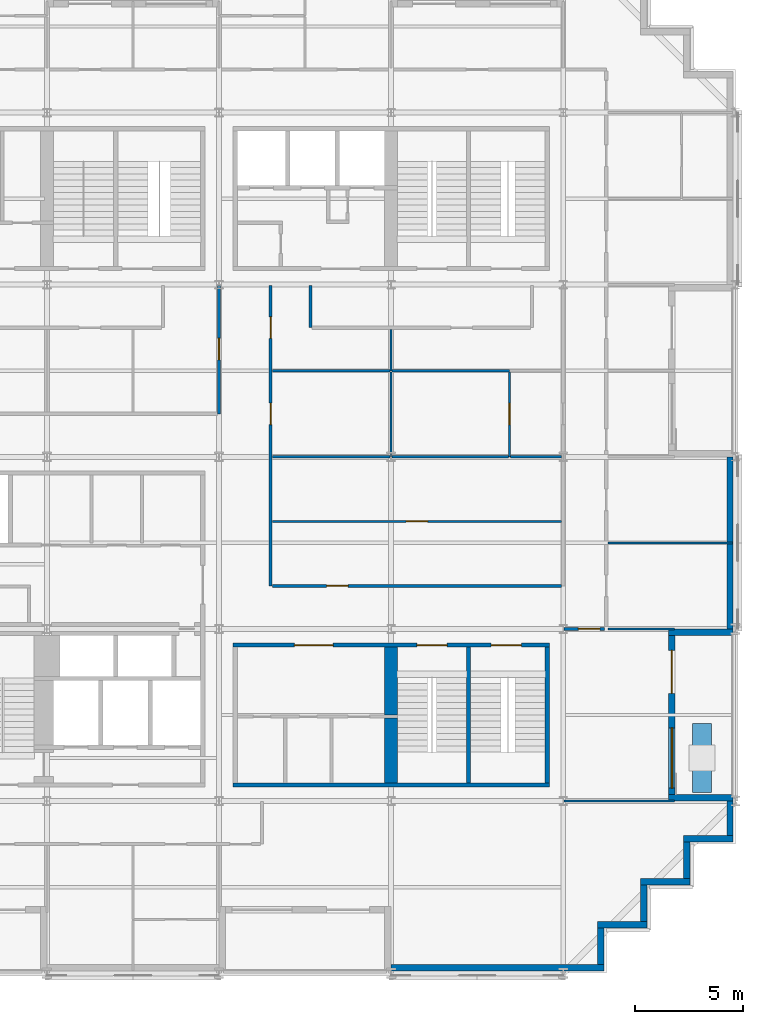
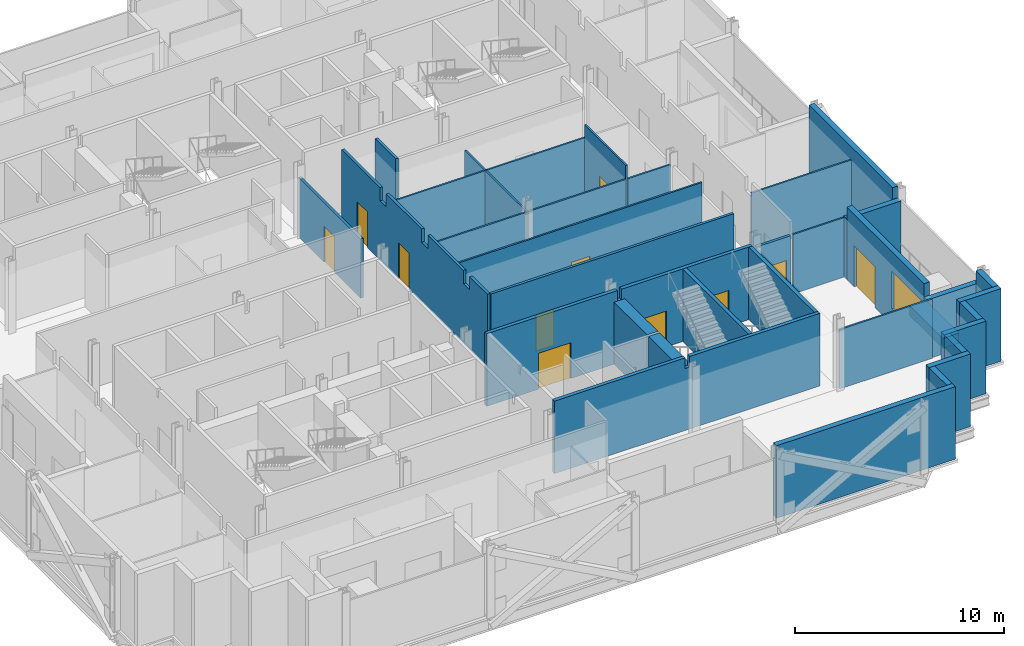
# One storey, part 8 of 15: 36 walls, 11 doors, 1 window, 12 openings.
"""IFC4 building model written with IfcOpenShell, lengths in metres."""

from ifc_helpers import new_model, si_unit, direction, frame, frame_2d, origin, place, context, subcontext, project, spatial, polyline, rectangle, outline, extrude, material, layer, layer_set, type_object, element, fill, save


model = new_model("IFC4")

# Units and contexts
model_context = context("Model", 3, precision=1e-05, world=origin(), true_north=direction((0.0, 1.0)))
body_context = subcontext(model_context, "Body", "Model", "MODEL_VIEW")
ifc_project = project(units=[si_unit("LENGTHUNIT", "METRE"), si_unit("AREAUNIT", "SQUARE_METRE"), si_unit("VOLUMEUNIT", "CUBIC_METRE"), si_unit("PLANEANGLEUNIT", "RADIAN"), si_unit("MASSUNIT", "GRAM", prefix="KILO")], contexts=[model_context])

# Site, building, storey
site_placement = place(None, origin())
site = spatial("IfcSite", under=ifc_project, at=site_placement, CompositionType="ELEMENT")
building_placement = place(site_placement, origin())
building = spatial("IfcBuilding", under=site, at=building_placement, Name="Immortelle Media Tower", CompositionType="ELEMENT")
storey_placement = place(building_placement, frame((0.0, 0.0, 65.60009765625)))
storey = spatial("IfcBuildingStorey", under=building, at=storey_placement, Name="L11", CompositionType="ELEMENT", Elevation=65.60009765625)

# Wall, opening, door
ifc_material_1 = material(Name="Fire-rated gypsum board", Category="gypsum")
ifc_layer_1 = layer(ifc_material_1, 0.012451171875)
ifc_material_2 = material(Name="Steel ASTM A653 SS Gr 50 stud frame with mineral wool", Category="steel")
ifc_layer_2 = layer(ifc_material_2, 0.125)
ifc_layer_3 = layer(ifc_material_1, 0.012451171875)
ifc_layer_set_1 = layer_set([ifc_layer_1, ifc_layer_2, ifc_layer_3], Name="Steel ASTM A653 SS Gr 50 stud frame with mineral wool")
wall_type_1 = type_object("IfcWallType", Name="Corridor wall 150", PredefinedType="PARTITIONING", material=ifc_layer_set_1)
wall_1_placement = place(storey_placement, frame((40.030029296875, 16.0, 0.0), z_axis=(0.0, 0.0, 1.0), x_axis=(1.0, 0.0, 0.0)))
wall_1 = element("IfcWall", 1, at=wall_1_placement, inside=storey, type_object=wall_type_1, Name="Partition L11-015", PredefinedType="PARTITIONING", context=body_context, shape_type="SweptSolid", body=[
    extrude(rectangle(XDim=1.89501953125, YDim=0.14990234375, at=frame_2d((0.947509765625, 0.0))), origin(), (0.0, 0.0, 1.0), 3.469970703125),
])
opening_1_placement = place(wall_1_placement, frame((0.669921875, 0.0, 0.0)))
opening_1 = element("IfcOpeningElement", 2, at=opening_1_placement, cuts=wall_1, Name="Opening N3-F010", PredefinedType="OPENING", context=body_context, shape_type="SweptSolid", body=[
    extrude(rectangle(XDim=1.0, YDim=2.10009765625, at=frame_2d((0.5, 1.050048828125))), frame((0.0, 0.0849609375, 0.0), z_axis=(0.0, -1.0, 0.0), x_axis=(1.0, 0.0, 0.0)), (0.0, 0.0, 1.0), 0.169921875),
])
ifc_material_3 = material(Name="Timber veneered door leaf, galvanised steel frame ASTM A653", Category="steel")
door_type_1 = type_object("IfcDoorType", Name="Room door 1000 x 2100", OperationType="NOTDEFINED", PredefinedType="DOOR", material=ifc_material_3)
door_1_placement = place(opening_1_placement, origin())
door_1 = element("IfcDoor", 3, at=door_1_placement, inside=storey, type_object=door_type_1, Name="Door N3-F010", OperationType="SINGLE_SWING_RIGHT", OverallHeight=2.10009765625, OverallWidth=1.0, PredefinedType="DOOR", context=body_context, shape_type="SweptSolid", body=[
    extrude(rectangle(XDim=1.0, YDim=2.10009765625, at=frame_2d((0.5, 1.050048828125))), frame((0.0, 0.02490234375, 0.0), z_axis=(0.0, -1.0, 0.0), x_axis=(1.0, 0.0, 0.0)), (0.0, 0.0, 1.0), 0.050048828125),
])
fill(opening_1, door_1)

wall_2_placement = place(storey_placement, frame((26.47509765625, 18.0, 0.0), z_axis=(0.0, 0.0, 1.0), x_axis=(1.0, 0.0, 0.0)))
wall_2 = element("IfcWall", 4, at=wall_2_placement, inside=storey, type_object=wall_type_1, Name="Partition L11-018", PredefinedType="PARTITIONING", context=body_context, shape_type="SweptSolid", body=[
    extrude(rectangle(XDim=13.449951171875, YDim=0.14990234375, at=frame_2d((6.72509765625, 0.0))), origin(), (0.0, 0.0, 1.0), 4.25),
])
opening_2_placement = place(wall_2_placement, frame((3.52490234375, 0.0, 0.0), z_axis=(0.0, 0.0, 1.0), x_axis=(-1.0, 0.0, 0.0)))
opening_2 = element("IfcOpeningElement", 5, at=opening_2_placement, cuts=wall_2, Name="Opening N3-F014", PredefinedType="OPENING", context=body_context, shape_type="SweptSolid", body=[
    extrude(rectangle(XDim=1.0, YDim=2.10009765625, at=frame_2d((0.5, 1.050048828125))), frame((0.0, 0.0849609375, 0.0), z_axis=(0.0, -1.0, 0.0), x_axis=(1.0, 0.0, 0.0)), (0.0, 0.0, 1.0), 0.169921875),
])
door_2_placement = place(opening_2_placement, origin())
door_2 = element("IfcDoor", 6, at=door_2_placement, inside=storey, type_object=door_type_1, Name="Door N3-F014", OperationType="SINGLE_SWING_RIGHT", OverallHeight=2.10009765625, OverallWidth=1.0, PredefinedType="DOOR", context=body_context, shape_type="SweptSolid", body=[
    extrude(rectangle(XDim=1.0, YDim=2.10009765625, at=frame_2d((0.5, 1.050048828125))), frame((0.0, 0.02490234375, 0.0), z_axis=(0.0, -1.0, 0.0), x_axis=(1.0, 0.0, 0.0)), (0.0, 0.0, 1.0), 0.050048828125),
])
fill(opening_2, door_2)

# Wall, openings, doors
wall_3_placement = place(storey_placement, frame((26.39990234375, 18.0, 0.0), z_axis=(0.0, 0.0, 1.0), x_axis=(0.0, 1.0, 0.0)))
wall_3 = element("IfcWall", 7, at=wall_3_placement, inside=storey, type_object=wall_type_1, Name="Partition L11-019", PredefinedType="PARTITIONING", context=body_context, shape_type="SweptSolid", body=[
    extrude(outline(polyline([(0.0, 0.0), (13.969970703125, 0.0), (13.969970703125, 4.25), (10.300048828125, 4.25), (10.298095703125, 3.469970703125), (9.701904296875, 3.469970703125), (9.699951171875, 4.25), (6.300048828125, 4.25), (6.298095703125, 3.469970703125), (5.701904296875, 3.469970703125), (5.699951171875, 4.25), (2.300048828125, 4.25), (2.298095703125, 3.469970703125), (1.701904296875, 3.469970703125), (1.699951171875, 4.25), (0.0, 4.25), (0.0, 0.0)])), frame((0.0, 0.074951171875, 0.0), z_axis=(0.0, -1.0, 0.0), x_axis=(1.0, 0.0, 0.0)), (0.0, 0.0, 1.0), 0.14990234375),
])
opening_3_placement = place(wall_3_placement, frame((7.5, 0.0, 0.0)))
opening_3 = element("IfcOpeningElement", 8, at=opening_3_placement, cuts=wall_3, Name="Opening N3-F019", PredefinedType="OPENING", context=body_context, shape_type="SweptSolid", body=[
    extrude(rectangle(XDim=1.0, YDim=2.10009765625, at=frame_2d((0.5, 1.050048828125))), frame((0.0, 0.0849609375, 0.0), z_axis=(0.0, -1.0, 0.0), x_axis=(1.0, 0.0, 0.0)), (0.0, 0.0, 1.0), 0.169921875),
])
opening_4_placement = place(wall_3_placement, frame((12.5, 0.0, 0.0), z_axis=(0.0, 0.0, 1.0), x_axis=(-1.0, 0.0, 0.0)))
opening_4 = element("IfcOpeningElement", 9, at=opening_4_placement, cuts=wall_3, Name="Opening N3-F020", PredefinedType="OPENING", context=body_context, shape_type="SweptSolid", body=[
    extrude(rectangle(XDim=1.0, YDim=2.10009765625, at=frame_2d((0.5, 1.050048828125))), frame((0.0, 0.0849609375, 0.0), z_axis=(0.0, -1.0, 0.0), x_axis=(1.0, 0.0, 0.0)), (0.0, 0.0, 1.0), 0.169921875),
])
door_3_placement = place(opening_3_placement, origin())
door_3 = element("IfcDoor", 10, at=door_3_placement, inside=storey, type_object=door_type_1, Name="Door N3-F019", OperationType="SINGLE_SWING_RIGHT", OverallHeight=2.10009765625, OverallWidth=1.0, PredefinedType="DOOR", context=body_context, shape_type="SweptSolid", body=[
    extrude(rectangle(XDim=1.0, YDim=2.10009765625, at=frame_2d((0.5, 1.050048828125))), frame((0.0, 0.02490234375, 0.0), z_axis=(0.0, -1.0, 0.0), x_axis=(1.0, 0.0, 0.0)), (0.0, 0.0, 1.0), 0.050048828125),
])
fill(opening_3, door_3)
door_4_placement = place(opening_4_placement, origin())
door_4 = element("IfcDoor", 11, at=door_4_placement, inside=storey, type_object=door_type_1, Name="Door N3-F020", OperationType="SINGLE_SWING_RIGHT", OverallHeight=2.10009765625, OverallWidth=1.0, PredefinedType="DOOR", context=body_context, shape_type="SweptSolid", body=[
    extrude(rectangle(XDim=1.0, YDim=2.10009765625, at=frame_2d((0.5, 1.050048828125))), frame((0.0, 0.02490234375, 0.0), z_axis=(0.0, -1.0, 0.0), x_axis=(1.0, 0.0, 0.0)), (0.0, 0.0, 1.0), 0.050048828125),
])
fill(opening_4, door_4)

# Wall, opening, door
wall_4_placement = place(storey_placement, frame((24.0, 26.0, 0.0), z_axis=(0.0, 0.0, 1.0), x_axis=(0.0, 1.0, 0.0)))
wall_4 = element("IfcWall", 12, at=wall_4_placement, inside=storey, type_object=wall_type_1, Name="Partition L11-033", PredefinedType="PARTITIONING", context=body_context, shape_type="SweptSolid", body=[
    extrude(rectangle(XDim=5.969970703125, YDim=0.14990234375, at=frame_2d((2.98486328125, 0.0))), origin(), (0.0, 0.0, 1.0), 3.469970703125),
])
opening_5_placement = place(wall_4_placement, frame((2.5, 0.0, 0.0)))
opening_5 = element("IfcOpeningElement", 13, at=opening_5_placement, cuts=wall_4, Name="Opening N3-F024", PredefinedType="OPENING", context=body_context, shape_type="SweptSolid", body=[
    extrude(rectangle(XDim=1.0, YDim=2.10009765625, at=frame_2d((0.5, 1.050048828125))), frame((0.0, 0.0849609375, 0.0), z_axis=(0.0, -1.0, 0.0), x_axis=(1.0, 0.0, 0.0)), (0.0, 0.0, 1.0), 0.169921875),
])
door_5_placement = place(opening_5_placement, origin())
door_5 = element("IfcDoor", 14, at=door_5_placement, inside=storey, type_object=door_type_1, Name="Door N3-F024", OperationType="SINGLE_SWING_LEFT", OverallHeight=2.10009765625, OverallWidth=1.0, PredefinedType="DOOR", context=body_context, shape_type="SweptSolid", body=[
    extrude(rectangle(XDim=1.0, YDim=2.10009765625, at=frame_2d((0.5, 1.050048828125))), frame((0.0, 0.02490234375, 0.0), z_axis=(0.0, -1.0, 0.0), x_axis=(1.0, 0.0, 0.0)), (0.0, 0.0, 1.0), 0.050048828125),
])
fill(opening_5, door_5)

# Walls
wall_5_placement = place(storey_placement, frame((28.25, 30.0, 0.0), z_axis=(0.0, 0.0, 1.0), x_axis=(0.0, 1.0, 0.0)))
element("IfcWall", 15, at=wall_5_placement, inside=storey, type_object=wall_type_1, Name="Partition L11-043", PredefinedType="PARTITIONING", context=body_context, shape_type="SweptSolid", body=[
    extrude(rectangle(XDim=1.969970703125, YDim=0.14990234375, at=frame_2d((0.98486328125, 0.0))), origin(), (0.0, 0.0, 1.0), 4.25),
])
ifc_material_4 = material(Name="Pale aluminium cladding panel", Category="aluminium")
ifc_layer_4 = layer(ifc_material_4, 0.030029296875)
ifc_layer_5 = layer(ifc_material_2, 0.257568359375)
ifc_material_5 = material(Name="Moisture-resistant gypsum board", Category="gypsum")
ifc_layer_6 = layer(ifc_material_5, 0.012451171875)
ifc_layer_set_2 = layer_set([ifc_layer_4, ifc_layer_5, ifc_layer_6], Name="Steel ASTM A653 SS Gr 50 stud frame with mineral wool")
wall_type_2 = type_object("IfcWallType", Name="Facade wall 300", PredefinedType="SOLIDWALL", material=ifc_layer_set_2)
wall_6_placement = place(storey_placement, frame((32.0, 0.25, 0.0), z_axis=(0.0, 0.0, 1.0), x_axis=(1.0, 0.0, 0.0)))
element("IfcWall", 16, at=wall_6_placement, inside=storey, type_object=wall_type_2, Name="Facade wall L11 S7", PredefinedType="SOLIDWALL", context=body_context, shape_type="SweptSolid", body=[
    extrude(rectangle(XDim=9.89990234375, YDim=0.300048828125, at=frame_2d((4.949951171875, 0.0))), origin(), (0.0, 0.0, 1.0), 4.25),
])
wall_7_placement = place(storey_placement, frame((41.75, 0.39990234375, 0.0), z_axis=(0.0, 0.0, 1.0), x_axis=(0.0, 1.0, 0.0)))
element("IfcWall", 17, at=wall_7_placement, inside=storey, type_object=wall_type_2, Name="Facade wall L11 E8", PredefinedType="SOLIDWALL", context=body_context, shape_type="SweptSolid", body=[
    extrude(rectangle(XDim=1.7001953125, YDim=0.300048828125, at=frame_2d((0.85009765625, 0.0))), origin(), (0.0, 0.0, 1.0), 4.25),
])
wall_8_placement = place(storey_placement, frame((41.60009765625, 2.25, 0.0), z_axis=(0.0, 0.0, 1.0), x_axis=(1.0, 0.0, 0.0)))
element("IfcWall", 18, at=wall_8_placement, inside=storey, type_object=wall_type_2, Name="Facade wall L11 S9", PredefinedType="SOLIDWALL", context=body_context, shape_type="SweptSolid", body=[
    extrude(rectangle(XDim=2.2998046875, YDim=0.300048828125, at=frame_2d((1.14990234375, 0.0))), origin(), (0.0, 0.0, 1.0), 4.25),
])
wall_9_placement = place(storey_placement, frame((43.75, 2.39990234375, 0.0), z_axis=(0.0, 0.0, 1.0), x_axis=(0.0, 1.0, 0.0)))
element("IfcWall", 19, at=wall_9_placement, inside=storey, type_object=wall_type_2, Name="Facade wall L11 E10", PredefinedType="SOLIDWALL", context=body_context, shape_type="SweptSolid", body=[
    extrude(rectangle(XDim=1.7001953125, YDim=0.300048828125, at=frame_2d((0.85009765625, 0.0))), origin(), (0.0, 0.0, 1.0), 4.25),
])
wall_10_placement = place(storey_placement, frame((43.60009765625, 4.25, 0.0), z_axis=(0.0, 0.0, 1.0), x_axis=(1.0, 0.0, 0.0)))
element("IfcWall", 20, at=wall_10_placement, inside=storey, type_object=wall_type_2, Name="Facade wall L11 S11", PredefinedType="SOLIDWALL", context=body_context, shape_type="SweptSolid", body=[
    extrude(rectangle(XDim=2.2998046875, YDim=0.300048828125, at=frame_2d((1.14990234375, 0.0))), origin(), (0.0, 0.0, 1.0), 4.25),
])
wall_11_placement = place(storey_placement, frame((45.75, 4.39990234375, 0.0), z_axis=(0.0, 0.0, 1.0), x_axis=(0.0, 1.0, 0.0)))
element("IfcWall", 21, at=wall_11_placement, inside=storey, type_object=wall_type_2, Name="Facade wall L11 E12", PredefinedType="SOLIDWALL", context=body_context, shape_type="SweptSolid", body=[
    extrude(rectangle(XDim=1.7001953125, YDim=0.300048828125, at=frame_2d((0.85009765625, 0.0))), origin(), (0.0, 0.0, 1.0), 4.25),
])
wall_12_placement = place(storey_placement, frame((45.60009765625, 6.25, 0.0), z_axis=(0.0, 0.0, 1.0), x_axis=(1.0, 0.0, 0.0)))
element("IfcWall", 22, at=wall_12_placement, inside=storey, type_object=wall_type_2, Name="Facade wall L11 S13", PredefinedType="SOLIDWALL", context=body_context, shape_type="SweptSolid", body=[
    extrude(rectangle(XDim=2.2998046875, YDim=0.300048828125, at=frame_2d((1.14990234375, 0.0))), origin(), (0.0, 0.0, 1.0), 4.25),
])
wall_13_placement = place(storey_placement, frame((47.75, 6.39990234375, 0.0), z_axis=(0.0, 0.0, 1.0), x_axis=(0.0, 1.0, 0.0)))
element("IfcWall", 23, at=wall_13_placement, inside=storey, type_object=wall_type_2, Name="Facade wall L11 E14", PredefinedType="SOLIDWALL", context=body_context, shape_type="SweptSolid", body=[
    extrude(rectangle(XDim=1.60009765625, YDim=0.300048828125, at=frame_2d((0.800048828125, 0.0))), origin(), (0.0, 0.0, 1.0), 4.25),
])

# Wall, openings, door, window
wall_14_placement = place(storey_placement, frame((45.050048828125, 8.300048828125, 0.0), z_axis=(0.0, 0.0, 1.0), x_axis=(0.0, 1.0, 0.0)))
wall_14 = element("IfcWall", 24, at=wall_14_placement, inside=storey, type_object=wall_type_2, Name="Loggia wall L11 E14", PredefinedType="SOLIDWALL", context=body_context, shape_type="SweptSolid", body=[
    extrude(rectangle(XDim=7.39990234375, YDim=0.300048828125, at=frame_2d((3.699951171875, 0.0))), origin(), (0.0, 0.0, 1.0), 4.25),
])
opening_6_placement = place(wall_14_placement, frame((0.300048828125, 0.0, 0.89990234375)))
opening_6 = element("IfcOpeningElement", 25, at=opening_6_placement, cuts=wall_14, Name="Opening W1", PredefinedType="OPENING", context=body_context, shape_type="SweptSolid", body=[
    extrude(rectangle(XDim=2.800048828125, YDim=2.199951171875, at=frame_2d((1.39990234375, 1.10009765625))), frame((0.0, 0.159912109375, 0.0), z_axis=(0.0, -1.0, 0.0), x_axis=(1.0, 0.0, 0.0)), (0.0, 0.0, 1.0), 0.320068359375),
])
opening_7_placement = place(wall_14_placement, frame((4.699951171875, 0.0, 0.0)))
opening_7 = element("IfcOpeningElement", 26, at=opening_7_placement, cuts=wall_14, Name="Opening N3-E005", PredefinedType="OPENING", context=body_context, shape_type="SweptSolid", body=[
    extrude(rectangle(XDim=2.0, YDim=2.39990234375, at=frame_2d((1.0, 1.199951171875))), frame((0.0, 0.159912109375, 0.0), z_axis=(0.0, -1.0, 0.0), x_axis=(1.0, 0.0, 0.0)), (0.0, 0.0, 1.0), 0.320068359375),
])
ifc_material_6 = material(Name="Aluminium frame, glazed leaves", Category="aluminium")
door_type_2 = type_object("IfcDoorType", Name="Loggia door 2000 x 2400", OperationType="DOUBLE_DOOR_SINGLE_SWING", PredefinedType="DOOR", material=ifc_material_6)
door_6_placement = place(opening_7_placement, origin())
door_6 = element("IfcDoor", 27, at=door_6_placement, inside=storey, type_object=door_type_2, Name="Door N3-E005", OperationType="DOUBLE_DOOR_SINGLE_SWING", OverallHeight=2.39990234375, OverallWidth=2.0, PredefinedType="DOOR", context=body_context, shape_type="SweptSolid", body=[
    extrude(rectangle(XDim=2.0, YDim=2.39990234375, at=frame_2d((1.0, 1.199951171875))), frame((0.0, 0.02490234375, 0.0), z_axis=(0.0, -1.0, 0.0), x_axis=(1.0, 0.0, 0.0)), (0.0, 0.0, 1.0), 0.050048828125),
])
fill(opening_7, door_6)
ifc_material_7 = material(Name="Aluminium frame", Category="aluminium")
window_type = type_object("IfcWindowType", Name="Window 2800 x 2200", PartitioningType="SINGLE_PANEL", PredefinedType="WINDOW", material=ifc_material_7)
window_placement = place(opening_6_placement, origin())
window = element("IfcWindow", 28, at=window_placement, inside=storey, type_object=window_type, Name="Window L11 L11-R14-B0", OverallHeight=2.199951171875, OverallWidth=2.800048828125, PartitioningType="SINGLE_PANEL", PredefinedType="WINDOW", context=body_context, shape_type="SweptSolid", body=[
    extrude(rectangle(XDim=2.800048828125, YDim=2.199951171875, at=frame_2d((1.39990234375, 1.10009765625))), frame((0.0, 0.030029296875, 0.0), z_axis=(0.0, -1.0, 0.0), x_axis=(1.0, 0.0, 0.0)), (0.0, 0.0, 1.0), 0.06005859375),
])
fill(opening_6, window)

# Walls
wall_15_placement = place(storey_placement, frame((47.89990234375, 8.14990234375, 0.0), z_axis=(0.0, 0.0, 1.0), x_axis=(-1.0, 0.0, 0.0)))
element("IfcWall", 29, at=wall_15_placement, inside=storey, type_object=wall_type_2, Name="Loggia cheek wall L11 E", PredefinedType="SOLIDWALL", context=body_context, shape_type="SweptSolid", body=[
    extrude(rectangle(XDim=3.0, YDim=0.300048828125, at=frame_2d((1.5, 0.0))), origin(), (0.0, 0.0, 1.0), 3.468994140625),
])
wall_16_placement = place(storey_placement, frame((47.89990234375, 15.85009765625, 0.0), z_axis=(0.0, 0.0, 1.0), x_axis=(-1.0, 0.0, 0.0)))
element("IfcWall", 30, at=wall_16_placement, inside=storey, type_object=wall_type_2, Name="Loggia cheek wall L11 E", PredefinedType="SOLIDWALL", context=body_context, shape_type="SweptSolid", body=[
    extrude(rectangle(XDim=3.0, YDim=0.300048828125, at=frame_2d((1.5, 0.0))), origin(), (0.0, 0.0, 1.0), 3.555908203125),
])
wall_17_placement = place(storey_placement, frame((47.75, 16.0, 0.0), z_axis=(0.0, 0.0, 1.0), x_axis=(0.0, 1.0, 0.0)))
element("IfcWall", 31, at=wall_17_placement, inside=storey, type_object=wall_type_2, Name="Facade wall L11 E14", PredefinedType="SOLIDWALL", context=body_context, shape_type="SweptSolid", body=[
    extrude(rectangle(XDim=8.0, YDim=0.300048828125, at=frame_2d((4.0, 0.0))), origin(), (0.0, 0.0, 1.0), 4.25),
])
ifc_material_8 = material(Name="Gypsum board", Category="gypsum")
ifc_layer_7 = layer(ifc_material_8, 0.012451171875)
ifc_layer_8 = layer(ifc_material_2, 0.074951171875)
ifc_layer_9 = layer(ifc_material_8, 0.012451171875)
ifc_layer_set_3 = layer_set([ifc_layer_7, ifc_layer_8, ifc_layer_9], Name="Steel ASTM A653 SS Gr 50 stud frame with mineral wool")
wall_type_3 = type_object("IfcWallType", Name="Partition 100", PredefinedType="PARTITIONING", material=ifc_layer_set_3)
wall_18_placement = place(storey_placement, frame((40.030029296875, 8.0, 0.0), z_axis=(0.0, 0.0, 1.0), x_axis=(1.0, 0.0, 0.0)))
element("IfcWall", 32, at=wall_18_placement, inside=storey, type_object=wall_type_3, Name="Partition L11-012", PredefinedType="PARTITIONING", context=body_context, shape_type="SweptSolid", body=[
    extrude(rectangle(XDim=5.139892578125, YDim=0.10009765625, at=frame_2d((2.56982421875, 0.0))), origin(), (0.0, 0.0, 1.0), 3.469970703125),
])
wall_19_placement = place(storey_placement, frame((42.074951171875, 16.0, 0.0), z_axis=(0.0, 0.0, 1.0), x_axis=(1.0, 0.0, 0.0)))
element("IfcWall", 33, at=wall_19_placement, inside=storey, type_object=wall_type_3, Name="Partition L11-016", PredefinedType="PARTITIONING", context=body_context, shape_type="SweptSolid", body=[
    extrude(rectangle(XDim=3.094970703125, YDim=0.10009765625, at=frame_2d((1.54736328125, 0.0))), origin(), (0.0, 0.0, 1.0), 3.469970703125),
])
wall_20_placement = place(storey_placement, frame((42.074951171875, 20.0, 0.0), z_axis=(0.0, 0.0, 1.0), x_axis=(1.0, 0.0, 0.0)))
element("IfcWall", 34, at=wall_20_placement, inside=storey, type_object=wall_type_3, Name="Partition L11-021", PredefinedType="PARTITIONING", context=body_context, shape_type="SweptSolid", body=[
    extrude(rectangle(XDim=5.795166015625, YDim=0.10009765625, at=frame_2d((2.8974609375, 0.0))), origin(), (0.0, 0.0, 1.0), 3.469970703125),
])

# Wall, opening, door
wall_21_placement = place(storey_placement, frame((26.47509765625, 21.0, 0.0), z_axis=(0.0, 0.0, 1.0), x_axis=(1.0, 0.0, 0.0)))
wall_21 = element("IfcWall", 35, at=wall_21_placement, inside=storey, type_object=wall_type_3, Name="Partition L11-022", PredefinedType="PARTITIONING", context=body_context, shape_type="SweptSolid", body=[
    extrude(rectangle(XDim=13.449951171875, YDim=0.10009765625, at=frame_2d((6.72509765625, 0.0))), origin(), (0.0, 0.0, 1.0), 4.25),
])
opening_8_placement = place(wall_21_placement, frame((6.22509765625, 0.0, 0.0)))
opening_8 = element("IfcOpeningElement", 36, at=opening_8_placement, cuts=wall_21, Name="Opening N3-F015", PredefinedType="OPENING", context=body_context, shape_type="SweptSolid", body=[
    extrude(rectangle(XDim=1.0, YDim=2.10009765625, at=frame_2d((0.5, 1.050048828125))), frame((0.0, 0.06005859375, 0.0), z_axis=(0.0, -1.0, 0.0), x_axis=(1.0, 0.0, 0.0)), (0.0, 0.0, 1.0), 0.1201171875),
])
door_7_placement = place(opening_8_placement, origin())
door_7 = element("IfcDoor", 37, at=door_7_placement, inside=storey, type_object=door_type_1, Name="Door N3-F015", OperationType="SINGLE_SWING_RIGHT", OverallHeight=2.10009765625, OverallWidth=1.0, PredefinedType="DOOR", context=body_context, shape_type="SweptSolid", body=[
    extrude(rectangle(XDim=1.0, YDim=2.10009765625, at=frame_2d((0.5, 1.050048828125))), frame((0.0, 0.02490234375, 0.0), z_axis=(0.0, -1.0, 0.0), x_axis=(1.0, 0.0, 0.0)), (0.0, 0.0, 1.0), 0.050048828125),
])
fill(opening_8, door_7)

# Walls
wall_22_placement = place(storey_placement, frame((26.47509765625, 24.0, 0.0), z_axis=(0.0, 0.0, 1.0), x_axis=(1.0, 0.0, 0.0)))
element("IfcWall", 38, at=wall_22_placement, inside=storey, type_object=wall_type_3, Name="Partition L11-024", PredefinedType="PARTITIONING", context=body_context, shape_type="SweptSolid", body=[
    extrude(rectangle(XDim=5.474853515625, YDim=0.10009765625, at=frame_2d((2.7373046875, 0.0))), origin(), (0.0, 0.0, 1.0), 3.469970703125),
])
wall_23_placement = place(storey_placement, frame((32.050048828125, 24.0, 0.0), z_axis=(0.0, 0.0, 1.0), x_axis=(1.0, 0.0, 0.0)))
element("IfcWall", 39, at=wall_23_placement, inside=storey, type_object=wall_type_3, Name="Partition L11-025", PredefinedType="PARTITIONING", context=body_context, shape_type="SweptSolid", body=[
    extrude(rectangle(XDim=5.39990234375, YDim=0.10009765625, at=frame_2d((2.699951171875, 0.0))), origin(), (0.0, 0.0, 1.0), 3.469970703125),
])
wall_24_placement = place(storey_placement, frame((32.0, 24.0, 0.0), z_axis=(0.0, 0.0, 1.0), x_axis=(0.0, 1.0, 0.0)))
element("IfcWall", 40, at=wall_24_placement, inside=storey, type_object=wall_type_3, Name="Partition L11-026", PredefinedType="PARTITIONING", context=body_context, shape_type="SweptSolid", body=[
    extrude(rectangle(XDim=3.949951171875, YDim=0.10009765625, at=frame_2d((1.97509765625, 0.0))), origin(), (0.0, 0.0, 1.0), 3.469970703125),
])
wall_25_placement = place(storey_placement, frame((37.550048828125, 24.0, 0.0), z_axis=(0.0, 0.0, 1.0), x_axis=(1.0, 0.0, 0.0)))
element("IfcWall", 41, at=wall_25_placement, inside=storey, type_object=wall_type_3, Name="Partition L11-027", PredefinedType="PARTITIONING", context=body_context, shape_type="SweptSolid", body=[
    extrude(rectangle(XDim=2.375, YDim=0.10009765625, at=frame_2d((1.1875, 0.0))), origin(), (0.0, 0.0, 1.0), 3.469970703125),
])

# Wall, opening, door
wall_26_placement = place(storey_placement, frame((37.5, 24.0, 0.0), z_axis=(0.0, 0.0, 1.0), x_axis=(0.0, 1.0, 0.0)))
wall_26 = element("IfcWall", 42, at=wall_26_placement, inside=storey, type_object=wall_type_3, Name="Partition L11-028", PredefinedType="PARTITIONING", context=body_context, shape_type="SweptSolid", body=[
    extrude(rectangle(XDim=3.949951171875, YDim=0.10009765625, at=frame_2d((1.97509765625, 0.0))), origin(), (0.0, 0.0, 1.0), 4.25),
])
opening_9_placement = place(wall_26_placement, frame((2.5, 0.0, 0.0), z_axis=(0.0, 0.0, 1.0), x_axis=(-1.0, 0.0, 0.0)))
opening_9 = element("IfcOpeningElement", 43, at=opening_9_placement, cuts=wall_26, Name="Opening N3-F017", PredefinedType="OPENING", context=body_context, shape_type="SweptSolid", body=[
    extrude(rectangle(XDim=1.0, YDim=2.10009765625, at=frame_2d((0.5, 1.050048828125))), frame((0.0, 0.06005859375, 0.0), z_axis=(0.0, -1.0, 0.0), x_axis=(1.0, 0.0, 0.0)), (0.0, 0.0, 1.0), 0.1201171875),
])
door_8_placement = place(opening_9_placement, origin())
door_8 = element("IfcDoor", 44, at=door_8_placement, inside=storey, type_object=door_type_1, Name="Door N3-F017", OperationType="SINGLE_SWING_LEFT", OverallHeight=2.10009765625, OverallWidth=1.0, PredefinedType="DOOR", context=body_context, shape_type="SweptSolid", body=[
    extrude(rectangle(XDim=1.0, YDim=2.10009765625, at=frame_2d((0.5, 1.050048828125))), frame((0.0, 0.02490234375, 0.0), z_axis=(0.0, -1.0, 0.0), x_axis=(1.0, 0.0, 0.0)), (0.0, 0.0, 1.0), 0.050048828125),
])
fill(opening_9, door_8)

# Walls
wall_27_placement = place(storey_placement, frame((26.47509765625, 28.0, 0.0), z_axis=(0.0, 0.0, 1.0), x_axis=(1.0, 0.0, 0.0)))
element("IfcWall", 45, at=wall_27_placement, inside=storey, type_object=wall_type_3, Name="Partition L11-034", PredefinedType="PARTITIONING", context=body_context, shape_type="SweptSolid", body=[
    extrude(rectangle(XDim=5.474853515625, YDim=0.10009765625, at=frame_2d((2.7373046875, 0.0))), origin(), (0.0, 0.0, 1.0), 3.469970703125),
])
wall_28_placement = place(storey_placement, frame((32.050048828125, 28.0, 0.0), z_axis=(0.0, 0.0, 1.0), x_axis=(1.0, 0.0, 0.0)))
element("IfcWall", 46, at=wall_28_placement, inside=storey, type_object=wall_type_3, Name="Partition L11-035", PredefinedType="PARTITIONING", context=body_context, shape_type="SweptSolid", body=[
    extrude(rectangle(XDim=5.449951171875, YDim=0.10009765625, at=frame_2d((2.72509765625, 0.0))), origin(), (0.0, 0.0, 1.0), 3.469970703125),
])
wall_29_placement = place(storey_placement, frame((32.0, 28.0, 0.0), z_axis=(0.0, 0.0, 1.0), x_axis=(0.0, 1.0, 0.0)))
element("IfcWall", 47, at=wall_29_placement, inside=storey, type_object=wall_type_3, Name="Partition L11-036", PredefinedType="PARTITIONING", context=body_context, shape_type="SweptSolid", body=[
    extrude(rectangle(XDim=1.925048828125, YDim=0.10009765625, at=frame_2d((0.96240234375, 0.0))), origin(), (0.0, 0.0, 1.0), 3.469970703125),
])
ifc_layer_10 = layer(ifc_material_4, 0.0029296875)
ifc_material_9 = material(Name="Steel ASTM A572 Gr 50 planter shell", Category="steel")
ifc_layer_11 = layer(ifc_material_9, 0.011962890625)
ifc_material_10 = material(Name="Planting substrate", Category="soil")
ifc_layer_12 = layer(ifc_material_10, 0.873046875)
ifc_layer_13 = layer(ifc_material_9, 0.011962890625)
ifc_layer_set_4 = layer_set([ifc_layer_10, ifc_layer_11, ifc_layer_12, ifc_layer_13], Name="Steel ASTM A572 Gr 50 planter shell")
wall_type_4 = type_object("IfcWallType", Name="Planter wall 900", PredefinedType="SOLIDWALL", material=ifc_layer_set_4)
wall_30_placement = place(storey_placement, frame((46.449951171875, 8.39990234375, 0.0), z_axis=(0.0, 0.0, 1.0), x_axis=(0.0, 1.0, 0.0)))
element("IfcWall", 48, at=wall_30_placement, inside=storey, type_object=wall_type_4, Name="Planter L11 E0", PredefinedType="SOLIDWALL", context=body_context, shape_type="SweptSolid", body=[
    extrude(rectangle(XDim=3.2001953125, YDim=0.89990234375, at=frame_2d((1.60009765625, 0.0))), origin(), (0.0, 0.0, 1.0), 0.599853515625),
])
ifc_material_11 = material(Name="Concrete C60", Category="concrete")
ifc_layer_14 = layer(ifc_material_11, 0.199951171875)
ifc_layer_set_5 = layer_set([ifc_layer_14], Name="Concrete C60")
wall_type_5 = type_object("IfcWallType", Name="Stair shaft wall 200", PredefinedType="PARTITIONING", material=ifc_layer_set_5)
wall_31_placement = place(storey_placement, frame((24.64990234375, 8.75, 0.0), z_axis=(0.0, 0.0, 1.0), x_axis=(1.0, 0.0, 0.0)))
element("IfcWall", 49, at=wall_31_placement, inside=storey, type_object=wall_type_5, Name="Stair shaft wall SE", PredefinedType="PARTITIONING", context=body_context, shape_type="SweptSolid", body=[
    extrude(outline(polyline([(0.0, 0.0), (14.7001953125, 0.0), (14.699951171875, 4.25), (7.469482421875, 4.25), (7.468505859375, 3.6318359375), (7.2314453125, 3.6318359375), (7.23046875, 4.25), (0.0, 4.25), (0.0, 0.0)])), frame((0.0, 0.10009765625, 0.0), z_axis=(0.0, -1.0, 0.0), x_axis=(1.0, 0.0, 0.0)), (0.0, 0.0, 1.0), 0.199951171875),
])

# Wall, openings, doors
wall_32_placement = place(storey_placement, frame((24.64990234375, 15.25, 0.0), z_axis=(0.0, 0.0, 1.0), x_axis=(1.0, 0.0, 0.0)))
wall_32 = element("IfcWall", 50, at=wall_32_placement, inside=storey, type_object=wall_type_5, Name="Stair shaft wall SE", PredefinedType="PARTITIONING", context=body_context, shape_type="SweptSolid", body=[
    extrude(outline(polyline([(0.0, 0.0), (14.7001953125, 0.0), (14.699951171875, 4.25), (7.469482421875, 4.25), (7.468505859375, 3.6318359375), (7.2314453125, 3.6318359375), (7.23046875, 4.25), (0.0, 4.25), (0.0, 0.0)])), frame((0.0, 0.10009765625, 0.0), z_axis=(0.0, -1.0, 0.0), x_axis=(1.0, 0.0, 0.0)), (0.0, 0.0, 1.0), 0.199951171875),
])
opening_10_placement = place(wall_32_placement, frame((2.85009765625, 0.0, 0.0)))
opening_10 = element("IfcOpeningElement", 51, at=opening_10_placement, cuts=wall_32, Name="Opening N3-K016", PredefinedType="OPENING", context=body_context, shape_type="SweptSolid", body=[
    extrude(rectangle(XDim=1.800048828125, YDim=2.10009765625, at=frame_2d((0.89990234375, 1.050048828125))), frame((0.0, 0.10986328125, 0.0), z_axis=(0.0, -1.0, 0.0), x_axis=(1.0, 0.0, 0.0)), (0.0, 0.0, 1.0), 0.219970703125),
])
opening_11_placement = place(wall_32_placement, frame((9.949951171875, 0.0, 0.0), z_axis=(0.0, 0.0, 1.0), x_axis=(-1.0, 0.0, 0.0)))
opening_11 = element("IfcOpeningElement", 52, at=opening_11_placement, cuts=wall_32, Name="Opening N3-K019", PredefinedType="OPENING", context=body_context, shape_type="SweptSolid", body=[
    extrude(rectangle(XDim=1.39990234375, YDim=2.10009765625, at=frame_2d((0.699951171875, 1.050048828125))), frame((0.0, 0.10986328125, 0.0), z_axis=(0.0, -1.0, 0.0), x_axis=(1.0, 0.0, 0.0)), (0.0, 0.0, 1.0), 0.219970703125),
])
opening_12_placement = place(wall_32_placement, frame((13.39990234375, 0.0, 0.0), z_axis=(0.0, 0.0, 1.0), x_axis=(-1.0, 0.0, 0.0)))
opening_12 = element("IfcOpeningElement", 53, at=opening_12_placement, cuts=wall_32, Name="Opening N3-K020", PredefinedType="OPENING", context=body_context, shape_type="SweptSolid", body=[
    extrude(rectangle(XDim=1.39990234375, YDim=2.10009765625, at=frame_2d((0.699951171875, 1.050048828125))), frame((0.0, 0.10986328125, 0.0), z_axis=(0.0, -1.0, 0.0), x_axis=(1.0, 0.0, 0.0)), (0.0, 0.0, 1.0), 0.219970703125),
])
ifc_material_12 = material(Name="Galvanised steel door leaf and frame ASTM A653", Category="steel")
door_type_3 = type_object("IfcDoorType", Name="Lift lobby door 1800 x 2100", OperationType="DOUBLE_DOOR_SINGLE_SWING", PredefinedType="NOTDEFINED", material=ifc_material_12)
door_9_placement = place(opening_10_placement, origin())
door_9 = element("IfcDoor", 54, at=door_9_placement, inside=storey, type_object=door_type_3, Name="Lift lobby N3-K016", OperationType="DOUBLE_DOOR_SINGLE_SWING", OverallHeight=2.10009765625, OverallWidth=1.800048828125, PredefinedType="NOTDEFINED", context=body_context, shape_type="SweptSolid", body=[
    extrude(rectangle(XDim=1.800048828125, YDim=2.10009765625, at=frame_2d((0.89990234375, 1.050048828125))), frame((0.0, 0.02490234375, 0.0), z_axis=(0.0, -1.0, 0.0), x_axis=(1.0, 0.0, 0.0)), (0.0, 0.0, 1.0), 0.050048828125),
])
fill(opening_10, door_9)
door_type_4 = type_object("IfcDoorType", Name="Stair door 1400 x 2100", OperationType="DOUBLE_DOOR_SINGLE_SWING", PredefinedType="NOTDEFINED", material=ifc_material_12)
door_10_placement = place(opening_11_placement, origin())
door_10 = element("IfcDoor", 55, at=door_10_placement, inside=storey, type_object=door_type_4, Name="Stair N3-K019", OperationType="DOUBLE_DOOR_SINGLE_SWING", OverallHeight=2.10009765625, OverallWidth=1.39990234375, PredefinedType="NOTDEFINED", context=body_context, shape_type="SweptSolid", body=[
    extrude(rectangle(XDim=1.39990234375, YDim=2.10009765625, at=frame_2d((0.699951171875, 1.050048828125))), frame((0.0, 0.02490234375, 0.0), z_axis=(0.0, -1.0, 0.0), x_axis=(1.0, 0.0, 0.0)), (0.0, 0.0, 1.0), 0.050048828125),
])
fill(opening_11, door_10)
door_11_placement = place(opening_12_placement, origin())
door_11 = element("IfcDoor", 56, at=door_11_placement, inside=storey, type_object=door_type_4, Name="Stair N3-K020", OperationType="DOUBLE_DOOR_SINGLE_SWING", OverallHeight=2.10009765625, OverallWidth=1.39990234375, PredefinedType="NOTDEFINED", context=body_context, shape_type="SweptSolid", body=[
    extrude(rectangle(XDim=1.39990234375, YDim=2.10009765625, at=frame_2d((0.699951171875, 1.050048828125))), frame((0.0, 0.02490234375, 0.0), z_axis=(0.0, -1.0, 0.0), x_axis=(1.0, 0.0, 0.0)), (0.0, 0.0, 1.0), 0.050048828125),
])
fill(opening_12, door_11)

# Walls
for number, where, z_axis, x_axis, name in (
    (57, (35.60009765625, 8.85009765625, 0.0), (0.0, 0.0, 1.0), (0.0, 1.0, 0.0), "Stair shaft wall SE"),
    (58, (39.25, 8.85009765625, 0.0), (0.0, 0.0, 1.0), (0.0, 1.0, 0.0), "Stair shaft wall SE"),
):
    element("IfcWall", number, at=place(storey_placement, frame(where, z_axis=z_axis, x_axis=x_axis)), inside=storey, type_object=wall_type_5, Name=name, PredefinedType="PARTITIONING", context=body_context, shape_type="SweptSolid", body=[
        extrude(rectangle(XDim=6.2998046875, YDim=0.199951171875, at=frame_2d((3.14990234375, 0.0))), origin(), (0.0, 0.0, 1.0), 4.25),
    ])
ifc_layer_15 = layer(ifc_material_11, 0.60009765625)
ifc_layer_set_6 = layer_set([ifc_layer_15], Name="Concrete C60")
wall_type_6 = type_object("IfcWallType", Name="Stair shaft wall 600", PredefinedType="PARTITIONING", material=ifc_layer_set_6)
wall_33_placement = place(storey_placement, frame((32.0, 8.85009765625, 0.0), z_axis=(0.0, 0.0, 1.0), x_axis=(0.0, 1.0, 0.0)))
element("IfcWall", 59, at=wall_33_placement, inside=storey, type_object=wall_type_6, Name="Stair shaft wall SE", PredefinedType="PARTITIONING", context=body_context, shape_type="SweptSolid", body=[
    extrude(rectangle(XDim=3.0, YDim=0.60009765625, at=frame_2d((1.5, 0.0))), origin(), (0.0, 0.0, 1.0), 3.6318359375),
])
wall_34_placement = place(storey_placement, frame((32.0, 12.0, 0.0), z_axis=(0.0, 0.0, 1.0), x_axis=(0.0, 1.0, 0.0)))
element("IfcWall", 60, at=wall_34_placement, inside=storey, type_object=wall_type_6, Name="Stair shaft wall SE", PredefinedType="PARTITIONING", context=body_context, shape_type="SweptSolid", body=[
    extrude(rectangle(XDim=3.14990234375, YDim=0.60009765625, at=frame_2d((1.574951171875, 0.0))), origin(), (0.0, 0.0, 1.0), 3.6318359375),
])

save(model, "model.ifc")
